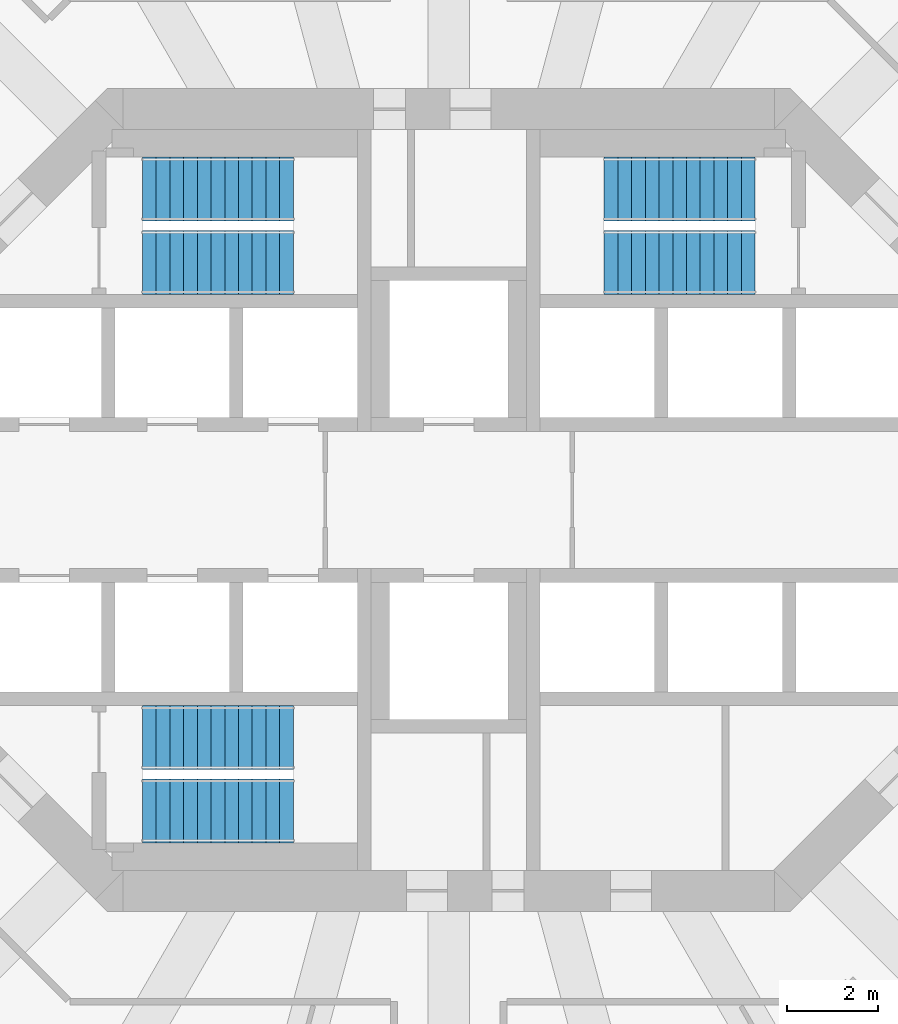
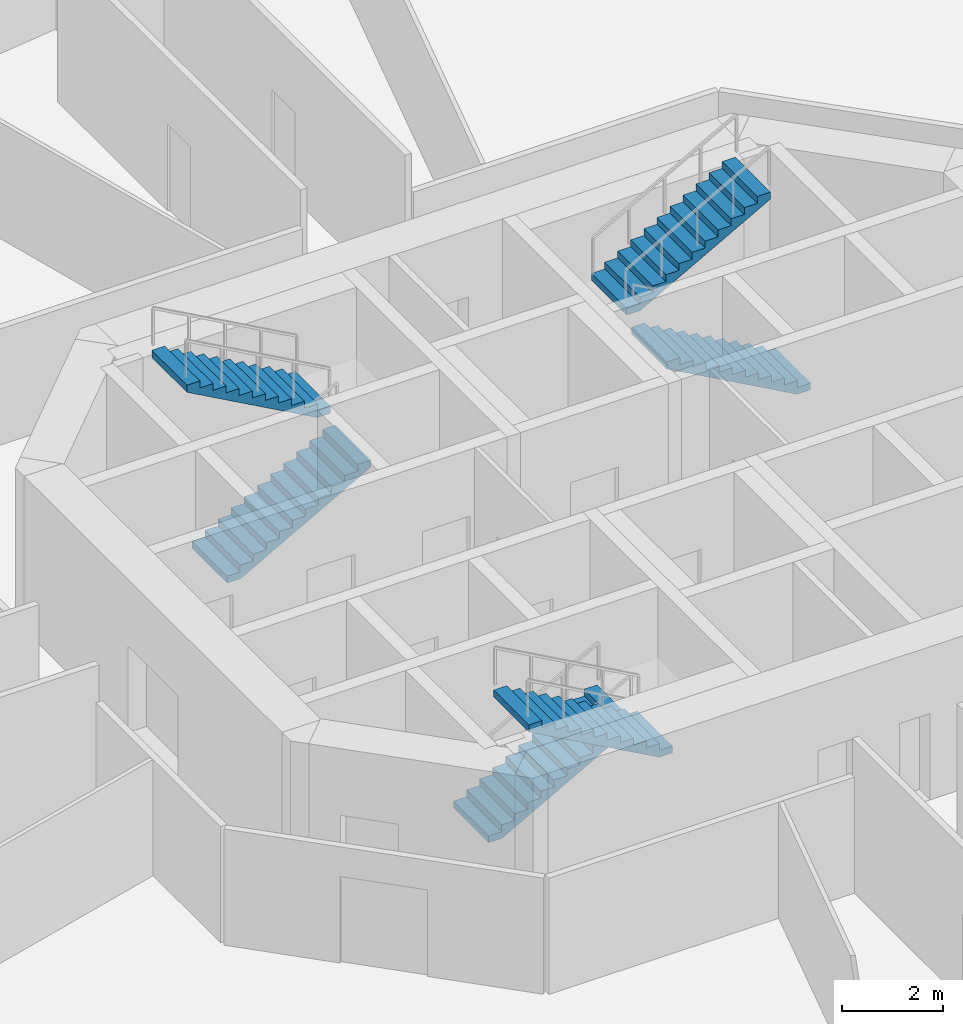
# One storey, part 7 of 9: 6 stair flights, 3 elements without a shape of their own.
"""IFC4 building model written with IfcOpenShell, lengths in metres."""

from ifc_helpers import new_model, si_unit, direction, frame, origin, place, context, subcontext, project, spatial, polyline, outline, extrude, material, type_object, element, aggregate, save


model = new_model("IFC4")

# Units and contexts
model_context = context("Model", 3, precision=1e-05, world=origin(), true_north=direction((0.0, 1.0)))
body_context = subcontext(model_context, "Body", "Model", "MODEL_VIEW")
ifc_project = project(units=[si_unit("LENGTHUNIT", "METRE"), si_unit("AREAUNIT", "SQUARE_METRE"), si_unit("VOLUMEUNIT", "CUBIC_METRE"), si_unit("PLANEANGLEUNIT", "RADIAN"), si_unit("MASSUNIT", "GRAM", prefix="KILO")], contexts=[model_context])

# Site, building, storey
site_placement = place(None, origin())
site = spatial("IfcSite", under=ifc_project, at=site_placement, CompositionType="ELEMENT")
building_placement = place(site_placement, origin())
building = spatial("IfcBuilding", under=site, at=building_placement, Name="Torre Triforio", CompositionType="ELEMENT")
storey_placement = place(building_placement, frame((0.0, 0.0, 27.0)))
storey = spatial("IfcBuildingStorey", under=building, at=storey_placement, Name="L04", CompositionType="ELEMENT", Elevation=27.0)

# Stair, stair flights
ifc_material = material(Name="Concrete C40", Category="concrete")
stair_type = type_object("IfcStairType", Name="STAIR HALF-TURN", PredefinedType="HALF_TURN_STAIR", material=ifc_material)
stair_1_placement = place(storey_placement, origin())
stair_1 = element("IfcStair", 1, at=stair_1_placement, inside=storey, type_object=stair_type, Name="Exit stair 1", PredefinedType="HALF_TURN_STAIR")
stair_flight_type = type_object("IfcStairFlightType", Name="STAIR FLIGHT 1400", PredefinedType="STRAIGHT", material=ifc_material)
stair_flight_1_placement = place(storey_placement, frame((-6.699951171875, 5.199951171875, 0.0), z_axis=(0.0, 0.0, 1.0), x_axis=(1.0, 0.0, 0.0)))
stair_flight_1 = element("IfcStairFlight", 2, at=stair_flight_1_placement, type_object=stair_flight_type, Name="ST1 flight 1", NumberOfRisers=12, NumberOfTreads=11, PredefinedType="STRAIGHT", RiserHeight=0.166666667, TreadLength=0.3, context=body_context, shape_type="SweptSolid", body=[
    extrude(outline(polyline([(0.0, 0.0), (0.0, 0.166748046875), (0.300048828125, 0.166748046875), (0.300048828125, 0.333251953125), (0.60009765625, 0.333251953125), (0.60009765625, 0.5), (0.89990234375, 0.5), (0.89990234375, 0.666748046875), (1.199951171875, 0.666748046875), (1.199951171875, 0.833251953125), (1.5, 0.833251953125), (1.5, 1.0), (1.800048828125, 1.0), (1.800048828125, 1.166748046875), (2.10009765625, 1.166748046875), (2.10009765625, 1.333251953125), (2.39990234375, 1.333251953125), (2.39990234375, 1.5), (2.699951171875, 1.5), (2.699951171875, 1.666748046875), (3.0, 1.666748046875), (3.0, 1.833251953125), (3.300048828125, 1.833251953125), (3.300048828125, 2.0), (3.300048828125, 1.661865234375), (0.30859375, 0.0), (0.0, 0.0)])), frame((0.0, 0.699951171875, 0.0), z_axis=(0.0, -1.0, 0.0), x_axis=(1.0, 0.0, 0.0)), (0.0, 0.0, 1.0), 1.39990234375),
])
stair_flight_2_placement = place(storey_placement, frame((-3.39990234375, 6.800048828125, 2.0), z_axis=(0.0, 0.0, 1.0), x_axis=(-1.0, 0.0, 0.0)))
stair_flight_2 = element("IfcStairFlight", 3, at=stair_flight_2_placement, type_object=stair_flight_type, Name="ST1 flight 2", NumberOfRisers=12, NumberOfTreads=11, PredefinedType="STRAIGHT", RiserHeight=0.166666667, TreadLength=0.3, context=body_context, shape_type="SweptSolid", body=[
    extrude(outline(polyline([(0.0, 0.0), (0.0, 0.166748046875), (0.300048828125, 0.166748046875), (0.300048828125, 0.333251953125), (0.60009765625, 0.333251953125), (0.60009765625, 0.5), (0.89990234375, 0.5), (0.89990234375, 0.666748046875), (1.199951171875, 0.666748046875), (1.199951171875, 0.833251953125), (1.5, 0.833251953125), (1.5, 1.0), (1.800048828125, 1.0), (1.800048828125, 1.166748046875), (2.10009765625, 1.166748046875), (2.10009765625, 1.333251953125), (2.39990234375, 1.333251953125), (2.39990234375, 1.5), (2.699951171875, 1.5), (2.699951171875, 1.666748046875), (3.0, 1.666748046875), (3.0, 1.833251953125), (3.300048828125, 1.833251953125), (3.300048828125, 2.0), (3.300048828125, 1.661865234375), (0.30859375, 0.0), (0.0, 0.0)])), frame((0.0, 0.699951171875, 0.0), z_axis=(0.0, -1.0, 0.0), x_axis=(1.0, 0.0, 0.0)), (0.0, 0.0, 1.0), 1.39990234375),
])
aggregate(stair_1, [stair_flight_1, stair_flight_2])

stair_2_placement = place(storey_placement, origin())
stair_2 = element("IfcStair", 4, at=stair_2_placement, inside=storey, type_object=stair_type, Name="Exit stair 2", PredefinedType="HALF_TURN_STAIR")
stair_flight_3_placement = place(storey_placement, frame((6.699951171875, 5.199951171875, 0.0), z_axis=(0.0, 0.0, 1.0), x_axis=(-1.0, 0.0, 0.0)))
stair_flight_3 = element("IfcStairFlight", 5, at=stair_flight_3_placement, type_object=stair_flight_type, Name="ST2 flight 1", NumberOfRisers=12, NumberOfTreads=11, PredefinedType="STRAIGHT", RiserHeight=0.166666667, TreadLength=0.3, context=body_context, shape_type="SweptSolid", body=[
    extrude(outline(polyline([(0.0, 0.0), (0.0, 0.166748046875), (0.300048828125, 0.166748046875), (0.300048828125, 0.333251953125), (0.60009765625, 0.333251953125), (0.60009765625, 0.5), (0.89990234375, 0.5), (0.89990234375, 0.666748046875), (1.199951171875, 0.666748046875), (1.199951171875, 0.833251953125), (1.5, 0.833251953125), (1.5, 1.0), (1.800048828125, 1.0), (1.800048828125, 1.166748046875), (2.10009765625, 1.166748046875), (2.10009765625, 1.333251953125), (2.39990234375, 1.333251953125), (2.39990234375, 1.5), (2.699951171875, 1.5), (2.699951171875, 1.666748046875), (3.0, 1.666748046875), (3.0, 1.833251953125), (3.300048828125, 1.833251953125), (3.300048828125, 2.0), (3.300048828125, 1.661865234375), (0.30859375, 0.0), (0.0, 0.0)])), frame((0.0, 0.699951171875, 0.0), z_axis=(0.0, -1.0, 0.0), x_axis=(1.0, 0.0, 0.0)), (0.0, 0.0, 1.0), 1.39990234375),
])
stair_flight_4_placement = place(storey_placement, frame((3.39990234375, 6.800048828125, 2.0), z_axis=(0.0, 0.0, 1.0), x_axis=(1.0, 0.0, 0.0)))
stair_flight_4 = element("IfcStairFlight", 6, at=stair_flight_4_placement, type_object=stair_flight_type, Name="ST2 flight 2", NumberOfRisers=12, NumberOfTreads=11, PredefinedType="STRAIGHT", RiserHeight=0.166666667, TreadLength=0.3, context=body_context, shape_type="SweptSolid", body=[
    extrude(outline(polyline([(0.0, 0.0), (0.0, 0.166748046875), (0.300048828125, 0.166748046875), (0.300048828125, 0.333251953125), (0.60009765625, 0.333251953125), (0.60009765625, 0.5), (0.89990234375, 0.5), (0.89990234375, 0.666748046875), (1.199951171875, 0.666748046875), (1.199951171875, 0.833251953125), (1.5, 0.833251953125), (1.5, 1.0), (1.800048828125, 1.0), (1.800048828125, 1.166748046875), (2.10009765625, 1.166748046875), (2.10009765625, 1.333251953125), (2.39990234375, 1.333251953125), (2.39990234375, 1.5), (2.699951171875, 1.5), (2.699951171875, 1.666748046875), (3.0, 1.666748046875), (3.0, 1.833251953125), (3.300048828125, 1.833251953125), (3.300048828125, 2.0), (3.300048828125, 1.661865234375), (0.30859375, 0.0), (0.0, 0.0)])), frame((0.0, 0.699951171875, 0.0), z_axis=(0.0, -1.0, 0.0), x_axis=(1.0, 0.0, 0.0)), (0.0, 0.0, 1.0), 1.39990234375),
])
aggregate(stair_2, [stair_flight_3, stair_flight_4])

stair_3_placement = place(storey_placement, origin())
stair_3 = element("IfcStair", 7, at=stair_3_placement, inside=storey, type_object=stair_type, Name="Exit stair 3", PredefinedType="HALF_TURN_STAIR")
stair_flight_5_placement = place(storey_placement, frame((-6.699951171875, -5.199951171875, 0.0), z_axis=(0.0, 0.0, 1.0), x_axis=(1.0, 0.0, 0.0)))
stair_flight_5 = element("IfcStairFlight", 8, at=stair_flight_5_placement, type_object=stair_flight_type, Name="ST3 flight 1", NumberOfRisers=12, NumberOfTreads=11, PredefinedType="STRAIGHT", RiserHeight=0.166666667, TreadLength=0.3, context=body_context, shape_type="SweptSolid", body=[
    extrude(outline(polyline([(0.0, 0.0), (0.0, 0.166748046875), (0.300048828125, 0.166748046875), (0.300048828125, 0.333251953125), (0.60009765625, 0.333251953125), (0.60009765625, 0.5), (0.89990234375, 0.5), (0.89990234375, 0.666748046875), (1.199951171875, 0.666748046875), (1.199951171875, 0.833251953125), (1.5, 0.833251953125), (1.5, 1.0), (1.800048828125, 1.0), (1.800048828125, 1.166748046875), (2.10009765625, 1.166748046875), (2.10009765625, 1.333251953125), (2.39990234375, 1.333251953125), (2.39990234375, 1.5), (2.699951171875, 1.5), (2.699951171875, 1.666748046875), (3.0, 1.666748046875), (3.0, 1.833251953125), (3.300048828125, 1.833251953125), (3.300048828125, 2.0), (3.300048828125, 1.661865234375), (0.30859375, 0.0), (0.0, 0.0)])), frame((0.0, 0.699951171875, 0.0), z_axis=(0.0, -1.0, 0.0), x_axis=(1.0, 0.0, 0.0)), (0.0, 0.0, 1.0), 1.39990234375),
])
stair_flight_6_placement = place(storey_placement, frame((-3.39990234375, -6.800048828125, 2.0), z_axis=(0.0, 0.0, 1.0), x_axis=(-1.0, 0.0, 0.0)))
stair_flight_6 = element("IfcStairFlight", 9, at=stair_flight_6_placement, type_object=stair_flight_type, Name="ST3 flight 2", NumberOfRisers=12, NumberOfTreads=11, PredefinedType="STRAIGHT", RiserHeight=0.166666667, TreadLength=0.3, context=body_context, shape_type="SweptSolid", body=[
    extrude(outline(polyline([(0.0, 0.0), (0.0, 0.166748046875), (0.300048828125, 0.166748046875), (0.300048828125, 0.333251953125), (0.60009765625, 0.333251953125), (0.60009765625, 0.5), (0.89990234375, 0.5), (0.89990234375, 0.666748046875), (1.199951171875, 0.666748046875), (1.199951171875, 0.833251953125), (1.5, 0.833251953125), (1.5, 1.0), (1.800048828125, 1.0), (1.800048828125, 1.166748046875), (2.10009765625, 1.166748046875), (2.10009765625, 1.333251953125), (2.39990234375, 1.333251953125), (2.39990234375, 1.5), (2.699951171875, 1.5), (2.699951171875, 1.666748046875), (3.0, 1.666748046875), (3.0, 1.833251953125), (3.300048828125, 1.833251953125), (3.300048828125, 2.0), (3.300048828125, 1.661865234375), (0.30859375, 0.0), (0.0, 0.0)])), frame((0.0, 0.699951171875, 0.0), z_axis=(0.0, -1.0, 0.0), x_axis=(1.0, 0.0, 0.0)), (0.0, 0.0, 1.0), 1.39990234375),
])
aggregate(stair_3, [stair_flight_5, stair_flight_6])

save(model, "model.ifc")
